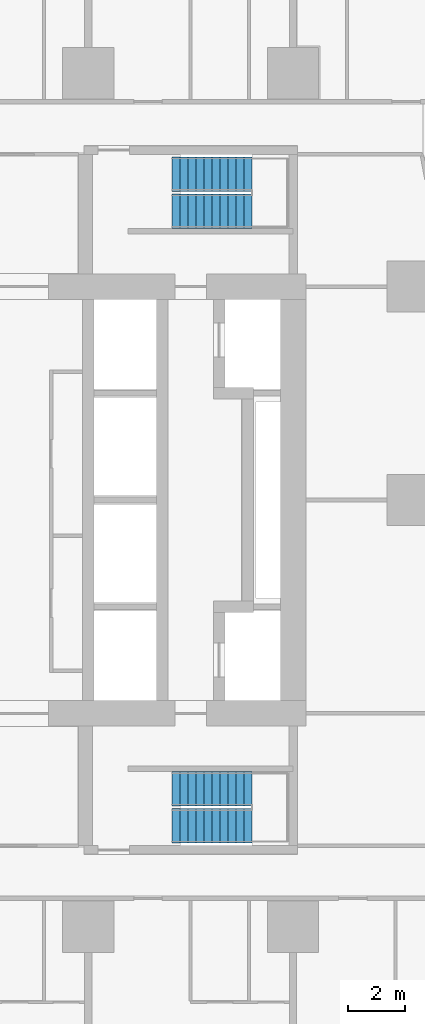
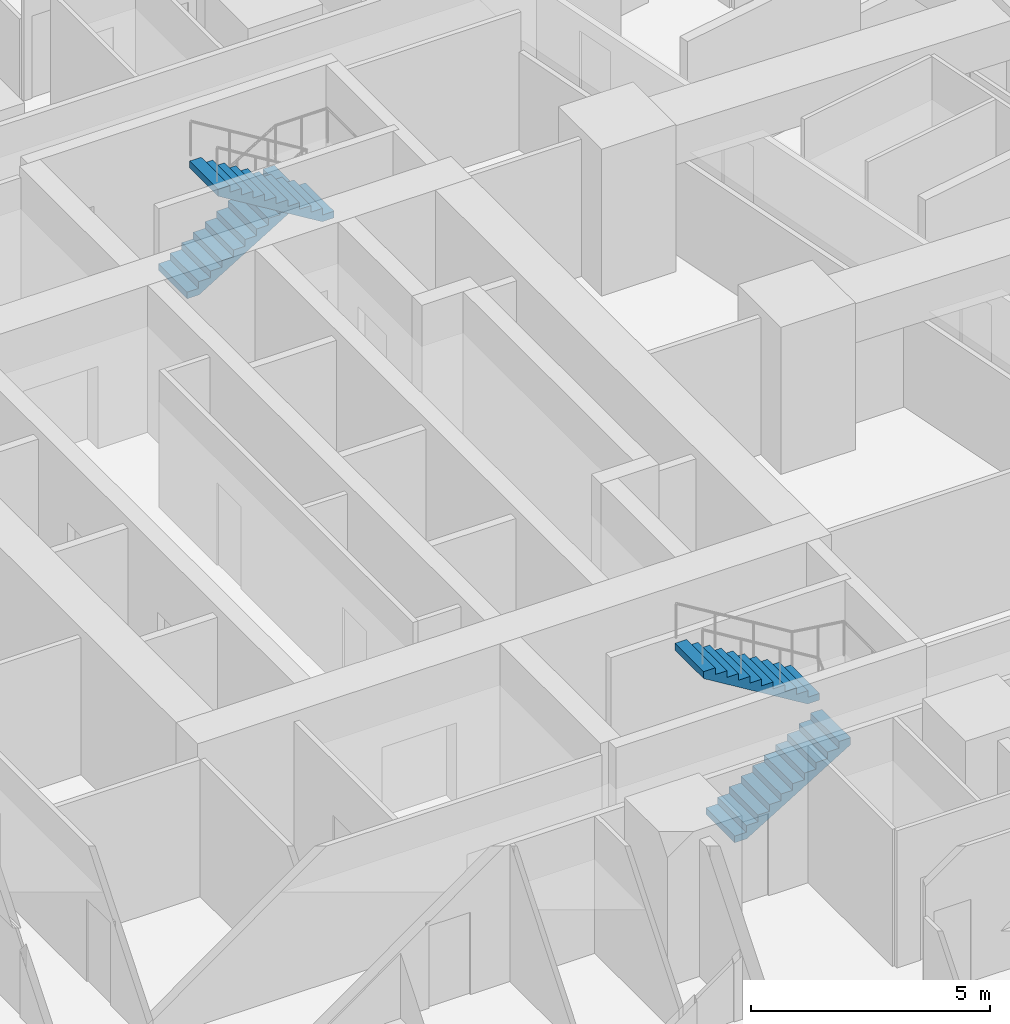
# One storey, part 12 of 15: 4 stair flights, 2 elements without a shape of their own.
"""IFC4 building model written with IfcOpenShell, lengths in metres."""

from ifc_helpers import new_model, si_unit, direction, frame, origin, place, context, subcontext, project, spatial, triangles, material, type_object, element, aggregate, save


model = new_model("IFC4")

# Units and contexts
model_context = context("Model", 3, precision=1e-05, world=origin(), true_north=direction((0.0, 1.0)))
body_context = subcontext(model_context, "Body", "Model", "MODEL_VIEW")
ifc_project = project(units=[si_unit("LENGTHUNIT", "METRE"), si_unit("AREAUNIT", "SQUARE_METRE"), si_unit("VOLUMEUNIT", "CUBIC_METRE"), si_unit("PLANEANGLEUNIT", "RADIAN"), si_unit("MASSUNIT", "GRAM", prefix="KILO")], contexts=[model_context])

# Site, building, storey
site_placement = place(None, origin())
site = spatial("IfcSite", under=ifc_project, at=site_placement, CompositionType="ELEMENT")
building_placement = place(site_placement, origin())
building = spatial("IfcBuilding", under=site, at=building_placement, Name="Sheger Commons Tower", CompositionType="ELEMENT")
storey_placement = place(building_placement, frame((0.0, 0.0, 50.0)))
storey = spatial("IfcBuildingStorey", under=building, at=storey_placement, Name="L12", CompositionType="ELEMENT", Elevation=50.0)

# Stair, stair flights
ifc_material_1 = material(Name="Concrete C35/45", Category="concrete")
stair_type = type_object("IfcStairType", Name="HALF-TURN STAIR 1200 RISE 3750", PredefinedType="HALF_TURN_STAIR", material=ifc_material_1)
stair_1_placement = place(storey_placement, origin())
stair_1 = element("IfcStair", 1, at=stair_1_placement, inside=storey, type_object=stair_type, Name="Stair S1 L12", PredefinedType="HALF_TURN_STAIR")
ifc_material_2 = material(Name="Concrete C35/45", Category="concrete")
stair_flight_type = type_object("IfcStairFlightType", Name="STAIR FLIGHT 1200 11 RISERS OF 170", PredefinedType="STRAIGHT", material=ifc_material_2)
stair_flight_1_placement = place(storey_placement, frame((24.550048828125, 11.050048828125, 0.0), z_axis=(0.0, 0.0, 1.0), x_axis=(1.0, 0.0, 0.0)))
stair_flight_1 = element("IfcStairFlight", 2, at=stair_flight_1_placement, type_object=stair_flight_type, Name="S1 flight 1", NumberOfRisers=11, NumberOfTreads=10, PredefinedType="STRAIGHT", RiserHeight=0.170454545, TreadLength=0.28, context=body_context, shape_type="Tessellation", body=[
    triangles([(0.0, 0.5999755859375, 0.0), (0.0, 0.5999755859375, 0.17041015625), (0.280029296875, 0.5999755859375, 0.17041015625), (0.280029296875, 0.5999755859375, 0.3408203125), (0.56005859375, 0.5999755859375, 0.3408203125), (0.56005859375, 0.5999755859375, 0.511474609375), (0.840087890625, 0.5999755859375, 0.511474609375), (0.840087890625, 0.5999755859375, 0.681884765625), (1.1201171875, 0.5999755859375, 0.681884765625), (1.1201171875, 0.5999755859375, 0.852294921875), (1.39990234375, 0.5999755859375, 0.852294921875), (1.39990234375, 0.5999755859375, 1.022705078125), (1.679931640625, 0.5999755859375, 1.022705078125), (1.679931640625, 0.5999755859375, 1.193115234375), (1.9599609375, 0.5999755859375, 1.193115234375), (1.9599609375, 0.5999755859375, 1.363525390625), (2.239990234375, 0.5999755859375, 1.363525390625), (2.239990234375, 0.5999755859375, 1.5341796875), (2.52001953125, 0.5999755859375, 1.5341796875), (2.52001953125, 0.5999755859375, 1.70458984375), (2.800048828125, 0.5999755859375, 1.70458984375), (2.800048828125, 0.5999755859375, 1.529052734375), (0.288330078125, 0.5999755859375, 0.0), (0.0, -0.5999755859375, 0.0), (0.0, -0.5999755859375, 0.17041015625), (0.280029296875, -0.5999755859375, 0.17041015625), (0.280029296875, -0.5999755859375, 0.3408203125), (0.56005859375, -0.5999755859375, 0.3408203125), (0.56005859375, -0.5999755859375, 0.511474609375), (0.840087890625, -0.5999755859375, 0.511474609375), (0.840087890625, -0.5999755859375, 0.681884765625), (1.1201171875, -0.5999755859375, 0.681884765625), (1.1201171875, -0.5999755859375, 0.852294921875), (1.39990234375, -0.5999755859375, 0.852294921875), (1.39990234375, -0.5999755859375, 1.022705078125), (1.679931640625, -0.5999755859375, 1.022705078125), (1.679931640625, -0.5999755859375, 1.193115234375), (1.9599609375, -0.5999755859375, 1.193115234375), (1.9599609375, -0.5999755859375, 1.363525390625), (2.239990234375, -0.5999755859375, 1.363525390625), (2.239990234375, -0.5999755859375, 1.5341796875), (2.52001953125, -0.5999755859375, 1.5341796875), (2.52001953125, -0.5999755859375, 1.70458984375), (2.800048828125, -0.5999755859375, 1.70458984375), (2.800048828125, -0.5999755859375, 1.529052734375), (0.288330078125, -0.5999755859375, 0.0), (0.0, 0.0, 0.085205078125), (0.1400146484375, 0.0, 0.17041015625), (0.280029296875, 0.0, 0.255615234375), (0.4200439453125, 0.0, 0.3408203125), (0.56005859375, 0.0, 0.4261474609375), (0.7000732421875, 0.0, 0.511474609375), (0.840087890625, 0.0, 0.5966796875), (0.9801025390625, 0.0, 0.681884765625), (1.1201171875, 0.0, 0.76708984375), (1.260009765625, 0.0, 0.852294921875), (1.39990234375, 0.0, 0.9375), (1.5399169921875, 0.0, 1.022705078125), (1.679931640625, 0.0, 1.10791015625), (1.8199462890625, 0.0, 1.193115234375), (1.9599609375, 0.0, 1.2783203125), (2.0999755859375, 0.0, 1.363525390625), (2.239990234375, 0.0, 1.4488525390625), (2.3800048828125, 0.0, 1.5341796875), (2.52001953125, 0.0, 1.619384765625), (2.6600341796875, 0.0, 1.70458984375), (2.800048828125, 0.0, 1.6168212890625), (1.544189453125, 0.0, 0.7645263671875), (0.1441650390625, 0.0, 0.0)], [[1, 22, 23], [24, 46, 45], [22, 20, 21], [45, 44, 43], [22, 19, 20], [45, 43, 42], [22, 18, 19], [45, 42, 41], [22, 17, 18], [45, 41, 40], [17, 15, 16], [40, 39, 38], [22, 15, 17], [45, 40, 38], [15, 13, 14], [38, 37, 36], [22, 13, 15], [45, 38, 36], [13, 11, 12], [36, 35, 34], [22, 11, 13], [45, 36, 34], [11, 9, 10], [34, 33, 32], [22, 9, 11], [45, 34, 32], [9, 7, 8], [32, 31, 30], [22, 7, 9], [45, 32, 30], [7, 5, 6], [30, 29, 28], [22, 5, 7], [45, 30, 28], [5, 3, 4], [28, 27, 26], [22, 3, 5], [45, 28, 26], [1, 3, 22], [24, 45, 26], [3, 1, 2], [26, 25, 24], [1, 47, 2], [2, 47, 25], [25, 47, 24], [24, 47, 1], [2, 48, 3], [3, 48, 26], [26, 48, 25], [25, 48, 2], [3, 49, 4], [4, 49, 27], [27, 49, 26], [26, 49, 3], [4, 50, 5], [5, 50, 28], [28, 50, 27], [27, 50, 4], [5, 51, 6], [6, 51, 29], [29, 51, 28], [28, 51, 5], [6, 52, 7], [7, 52, 30], [30, 52, 29], [29, 52, 6], [7, 53, 8], [8, 53, 31], [31, 53, 30], [30, 53, 7], [8, 54, 9], [9, 54, 32], [32, 54, 31], [31, 54, 8], [9, 55, 10], [10, 55, 33], [33, 55, 32], [32, 55, 9], [10, 56, 11], [11, 56, 34], [34, 56, 33], [33, 56, 10], [11, 57, 12], [12, 57, 35], [35, 57, 34], [34, 57, 11], [12, 58, 13], [13, 58, 36], [36, 58, 35], [35, 58, 12], [13, 59, 14], [14, 59, 37], [37, 59, 36], [36, 59, 13], [14, 60, 15], [15, 60, 38], [38, 60, 37], [37, 60, 14], [15, 61, 16], [16, 61, 39], [39, 61, 38], [38, 61, 15], [16, 62, 17], [17, 62, 40], [40, 62, 39], [39, 62, 16], [17, 63, 18], [18, 63, 41], [41, 63, 40], [40, 63, 17], [18, 64, 19], [19, 64, 42], [42, 64, 41], [41, 64, 18], [19, 65, 20], [20, 65, 43], [43, 65, 42], [42, 65, 19], [20, 66, 21], [21, 66, 44], [44, 66, 43], [43, 66, 20], [21, 67, 22], [22, 67, 45], [45, 67, 44], [44, 67, 21], [22, 68, 23], [23, 68, 46], [46, 68, 45], [45, 68, 22], [23, 69, 1], [1, 69, 24], [24, 69, 46], [46, 69, 23]], closed=True),
])
stair_flight_2_placement = place(storey_placement, frame((27.35009765625, 12.35009765625, 1.875), z_axis=(0.0, 0.0, 1.0), x_axis=(-1.0, 0.0, 0.0)))
stair_flight_2 = element("IfcStairFlight", 3, at=stair_flight_2_placement, type_object=stair_flight_type, Name="S1 flight 2", NumberOfRisers=11, NumberOfTreads=10, PredefinedType="STRAIGHT", RiserHeight=0.170454545, TreadLength=0.28, context=body_context, shape_type="Tessellation", body=[
    triangles([(0.0, 0.5999755859375, 0.0), (0.0, 0.5999755859375, 0.17041015625), (0.280029296875, 0.5999755859375, 0.17041015625), (0.280029296875, 0.5999755859375, 0.3408203125), (0.56005859375, 0.5999755859375, 0.3408203125), (0.56005859375, 0.5999755859375, 0.511474609375), (0.840087890625, 0.5999755859375, 0.511474609375), (0.840087890625, 0.5999755859375, 0.681884765625), (1.1201171875, 0.5999755859375, 0.681884765625), (1.1201171875, 0.5999755859375, 0.852294921875), (1.39990234375, 0.5999755859375, 0.852294921875), (1.39990234375, 0.5999755859375, 1.022705078125), (1.679931640625, 0.5999755859375, 1.022705078125), (1.679931640625, 0.5999755859375, 1.193115234375), (1.9599609375, 0.5999755859375, 1.193115234375), (1.9599609375, 0.5999755859375, 1.363525390625), (2.239990234375, 0.5999755859375, 1.363525390625), (2.239990234375, 0.5999755859375, 1.5341796875), (2.52001953125, 0.5999755859375, 1.5341796875), (2.52001953125, 0.5999755859375, 1.70458984375), (2.800048828125, 0.5999755859375, 1.70458984375), (2.800048828125, 0.5999755859375, 1.529052734375), (0.288330078125, 0.5999755859375, 0.0), (0.0, -0.5999755859375, 0.0), (0.0, -0.5999755859375, 0.17041015625), (0.280029296875, -0.5999755859375, 0.17041015625), (0.280029296875, -0.5999755859375, 0.3408203125), (0.56005859375, -0.5999755859375, 0.3408203125), (0.56005859375, -0.5999755859375, 0.511474609375), (0.840087890625, -0.5999755859375, 0.511474609375), (0.840087890625, -0.5999755859375, 0.681884765625), (1.1201171875, -0.5999755859375, 0.681884765625), (1.1201171875, -0.5999755859375, 0.852294921875), (1.39990234375, -0.5999755859375, 0.852294921875), (1.39990234375, -0.5999755859375, 1.022705078125), (1.679931640625, -0.5999755859375, 1.022705078125), (1.679931640625, -0.5999755859375, 1.193115234375), (1.9599609375, -0.5999755859375, 1.193115234375), (1.9599609375, -0.5999755859375, 1.363525390625), (2.239990234375, -0.5999755859375, 1.363525390625), (2.239990234375, -0.5999755859375, 1.5341796875), (2.52001953125, -0.5999755859375, 1.5341796875), (2.52001953125, -0.5999755859375, 1.70458984375), (2.800048828125, -0.5999755859375, 1.70458984375), (2.800048828125, -0.5999755859375, 1.529052734375), (0.288330078125, -0.5999755859375, 0.0), (0.0, 0.0, 0.085205078125), (0.1400146484375, 0.0, 0.17041015625), (0.280029296875, 0.0, 0.255615234375), (0.4200439453125, 0.0, 0.3408203125), (0.56005859375, 0.0, 0.4261474609375), (0.7000732421875, 0.0, 0.511474609375), (0.840087890625, 0.0, 0.5966796875), (0.9801025390625, 0.0, 0.681884765625), (1.1201171875, 0.0, 0.76708984375), (1.260009765625, 0.0, 0.852294921875), (1.39990234375, 0.0, 0.9375), (1.5399169921875, 0.0, 1.022705078125), (1.679931640625, 0.0, 1.10791015625), (1.8199462890625, 0.0, 1.193115234375), (1.9599609375, 0.0, 1.2783203125), (2.0999755859375, 0.0, 1.363525390625), (2.239990234375, 0.0, 1.4488525390625), (2.3800048828125, 0.0, 1.5341796875), (2.52001953125, 0.0, 1.619384765625), (2.6600341796875, 0.0, 1.70458984375), (2.800048828125, 0.0, 1.6168212890625), (1.544189453125, 0.0, 0.7645263671875), (0.1441650390625, 0.0, 0.0)], [[1, 22, 23], [24, 46, 45], [22, 20, 21], [45, 44, 43], [22, 19, 20], [45, 43, 42], [22, 18, 19], [45, 42, 41], [22, 17, 18], [45, 41, 40], [17, 15, 16], [40, 39, 38], [22, 15, 17], [45, 40, 38], [15, 13, 14], [38, 37, 36], [22, 13, 15], [45, 38, 36], [13, 11, 12], [36, 35, 34], [22, 11, 13], [45, 36, 34], [11, 9, 10], [34, 33, 32], [22, 9, 11], [45, 34, 32], [9, 7, 8], [32, 31, 30], [22, 7, 9], [45, 32, 30], [7, 5, 6], [30, 29, 28], [22, 5, 7], [45, 30, 28], [5, 3, 4], [28, 27, 26], [22, 3, 5], [45, 28, 26], [1, 3, 22], [24, 45, 26], [3, 1, 2], [26, 25, 24], [1, 47, 2], [2, 47, 25], [25, 47, 24], [24, 47, 1], [2, 48, 3], [3, 48, 26], [26, 48, 25], [25, 48, 2], [3, 49, 4], [4, 49, 27], [27, 49, 26], [26, 49, 3], [4, 50, 5], [5, 50, 28], [28, 50, 27], [27, 50, 4], [5, 51, 6], [6, 51, 29], [29, 51, 28], [28, 51, 5], [6, 52, 7], [7, 52, 30], [30, 52, 29], [29, 52, 6], [7, 53, 8], [8, 53, 31], [31, 53, 30], [30, 53, 7], [8, 54, 9], [9, 54, 32], [32, 54, 31], [31, 54, 8], [9, 55, 10], [10, 55, 33], [33, 55, 32], [32, 55, 9], [10, 56, 11], [11, 56, 34], [34, 56, 33], [33, 56, 10], [11, 57, 12], [12, 57, 35], [35, 57, 34], [34, 57, 11], [12, 58, 13], [13, 58, 36], [36, 58, 35], [35, 58, 12], [13, 59, 14], [14, 59, 37], [37, 59, 36], [36, 59, 13], [14, 60, 15], [15, 60, 38], [38, 60, 37], [37, 60, 14], [15, 61, 16], [16, 61, 39], [39, 61, 38], [38, 61, 15], [16, 62, 17], [17, 62, 40], [40, 62, 39], [39, 62, 16], [17, 63, 18], [18, 63, 41], [41, 63, 40], [40, 63, 17], [18, 64, 19], [19, 64, 42], [42, 64, 41], [41, 64, 18], [19, 65, 20], [20, 65, 43], [43, 65, 42], [42, 65, 19], [20, 66, 21], [21, 66, 44], [44, 66, 43], [43, 66, 20], [21, 67, 22], [22, 67, 45], [45, 67, 44], [44, 67, 21], [22, 68, 23], [23, 68, 46], [46, 68, 45], [45, 68, 22], [23, 69, 1], [1, 69, 24], [24, 69, 46], [46, 69, 23]], closed=True),
])
aggregate(stair_1, [stair_flight_1, stair_flight_2])

stair_2_placement = place(storey_placement, origin())
stair_2 = element("IfcStair", 4, at=stair_2_placement, inside=storey, type_object=stair_type, Name="Stair S2 L12", PredefinedType="HALF_TURN_STAIR")
stair_flight_3_placement = place(storey_placement, frame((24.550048828125, 33.949951171875, 0.0), z_axis=(0.0, 0.0, 1.0), x_axis=(1.0, 0.0, 0.0)))
stair_flight_3 = element("IfcStairFlight", 5, at=stair_flight_3_placement, type_object=stair_flight_type, Name="S2 flight 1", NumberOfRisers=11, NumberOfTreads=10, PredefinedType="STRAIGHT", RiserHeight=0.170454545, TreadLength=0.28, context=body_context, shape_type="Tessellation", body=[
    triangles([(0.0, 0.5999755859375, 0.0), (0.0, 0.5999755859375, 0.17041015625), (0.280029296875, 0.5999755859375, 0.17041015625), (0.280029296875, 0.5999755859375, 0.3408203125), (0.56005859375, 0.5999755859375, 0.3408203125), (0.56005859375, 0.5999755859375, 0.511474609375), (0.840087890625, 0.5999755859375, 0.511474609375), (0.840087890625, 0.5999755859375, 0.681884765625), (1.1201171875, 0.5999755859375, 0.681884765625), (1.1201171875, 0.5999755859375, 0.852294921875), (1.39990234375, 0.5999755859375, 0.852294921875), (1.39990234375, 0.5999755859375, 1.022705078125), (1.679931640625, 0.5999755859375, 1.022705078125), (1.679931640625, 0.5999755859375, 1.193115234375), (1.9599609375, 0.5999755859375, 1.193115234375), (1.9599609375, 0.5999755859375, 1.363525390625), (2.239990234375, 0.5999755859375, 1.363525390625), (2.239990234375, 0.5999755859375, 1.5341796875), (2.52001953125, 0.5999755859375, 1.5341796875), (2.52001953125, 0.5999755859375, 1.70458984375), (2.800048828125, 0.5999755859375, 1.70458984375), (2.800048828125, 0.5999755859375, 1.529052734375), (0.288330078125, 0.5999755859375, 0.0), (0.0, -0.5999755859375, 0.0), (0.0, -0.5999755859375, 0.17041015625), (0.280029296875, -0.5999755859375, 0.17041015625), (0.280029296875, -0.5999755859375, 0.3408203125), (0.56005859375, -0.5999755859375, 0.3408203125), (0.56005859375, -0.5999755859375, 0.511474609375), (0.840087890625, -0.5999755859375, 0.511474609375), (0.840087890625, -0.5999755859375, 0.681884765625), (1.1201171875, -0.5999755859375, 0.681884765625), (1.1201171875, -0.5999755859375, 0.852294921875), (1.39990234375, -0.5999755859375, 0.852294921875), (1.39990234375, -0.5999755859375, 1.022705078125), (1.679931640625, -0.5999755859375, 1.022705078125), (1.679931640625, -0.5999755859375, 1.193115234375), (1.9599609375, -0.5999755859375, 1.193115234375), (1.9599609375, -0.5999755859375, 1.363525390625), (2.239990234375, -0.5999755859375, 1.363525390625), (2.239990234375, -0.5999755859375, 1.5341796875), (2.52001953125, -0.5999755859375, 1.5341796875), (2.52001953125, -0.5999755859375, 1.70458984375), (2.800048828125, -0.5999755859375, 1.70458984375), (2.800048828125, -0.5999755859375, 1.529052734375), (0.288330078125, -0.5999755859375, 0.0), (0.0, 0.0, 0.085205078125), (0.1400146484375, 0.0, 0.17041015625), (0.280029296875, 0.0, 0.255615234375), (0.4200439453125, 0.0, 0.3408203125), (0.56005859375, 0.0, 0.4261474609375), (0.7000732421875, 0.0, 0.511474609375), (0.840087890625, 0.0, 0.5966796875), (0.9801025390625, 0.0, 0.681884765625), (1.1201171875, 0.0, 0.76708984375), (1.260009765625, 0.0, 0.852294921875), (1.39990234375, 0.0, 0.9375), (1.5399169921875, 0.0, 1.022705078125), (1.679931640625, 0.0, 1.10791015625), (1.8199462890625, 0.0, 1.193115234375), (1.9599609375, 0.0, 1.2783203125), (2.0999755859375, 0.0, 1.363525390625), (2.239990234375, 0.0, 1.4488525390625), (2.3800048828125, 0.0, 1.5341796875), (2.52001953125, 0.0, 1.619384765625), (2.6600341796875, 0.0, 1.70458984375), (2.800048828125, 0.0, 1.6168212890625), (1.544189453125, 0.0, 0.7645263671875), (0.1441650390625, 0.0, 0.0)], [[1, 22, 23], [24, 46, 45], [22, 20, 21], [45, 44, 43], [22, 19, 20], [45, 43, 42], [22, 18, 19], [45, 42, 41], [22, 17, 18], [45, 41, 40], [17, 15, 16], [40, 39, 38], [22, 15, 17], [45, 40, 38], [15, 13, 14], [38, 37, 36], [22, 13, 15], [45, 38, 36], [13, 11, 12], [36, 35, 34], [22, 11, 13], [45, 36, 34], [11, 9, 10], [34, 33, 32], [22, 9, 11], [45, 34, 32], [9, 7, 8], [32, 31, 30], [22, 7, 9], [45, 32, 30], [7, 5, 6], [30, 29, 28], [22, 5, 7], [45, 30, 28], [5, 3, 4], [28, 27, 26], [22, 3, 5], [45, 28, 26], [1, 3, 22], [24, 45, 26], [3, 1, 2], [26, 25, 24], [1, 47, 2], [2, 47, 25], [25, 47, 24], [24, 47, 1], [2, 48, 3], [3, 48, 26], [26, 48, 25], [25, 48, 2], [3, 49, 4], [4, 49, 27], [27, 49, 26], [26, 49, 3], [4, 50, 5], [5, 50, 28], [28, 50, 27], [27, 50, 4], [5, 51, 6], [6, 51, 29], [29, 51, 28], [28, 51, 5], [6, 52, 7], [7, 52, 30], [30, 52, 29], [29, 52, 6], [7, 53, 8], [8, 53, 31], [31, 53, 30], [30, 53, 7], [8, 54, 9], [9, 54, 32], [32, 54, 31], [31, 54, 8], [9, 55, 10], [10, 55, 33], [33, 55, 32], [32, 55, 9], [10, 56, 11], [11, 56, 34], [34, 56, 33], [33, 56, 10], [11, 57, 12], [12, 57, 35], [35, 57, 34], [34, 57, 11], [12, 58, 13], [13, 58, 36], [36, 58, 35], [35, 58, 12], [13, 59, 14], [14, 59, 37], [37, 59, 36], [36, 59, 13], [14, 60, 15], [15, 60, 38], [38, 60, 37], [37, 60, 14], [15, 61, 16], [16, 61, 39], [39, 61, 38], [38, 61, 15], [16, 62, 17], [17, 62, 40], [40, 62, 39], [39, 62, 16], [17, 63, 18], [18, 63, 41], [41, 63, 40], [40, 63, 17], [18, 64, 19], [19, 64, 42], [42, 64, 41], [41, 64, 18], [19, 65, 20], [20, 65, 43], [43, 65, 42], [42, 65, 19], [20, 66, 21], [21, 66, 44], [44, 66, 43], [43, 66, 20], [21, 67, 22], [22, 67, 45], [45, 67, 44], [44, 67, 21], [22, 68, 23], [23, 68, 46], [46, 68, 45], [45, 68, 22], [23, 69, 1], [1, 69, 24], [24, 69, 46], [46, 69, 23]], closed=True),
])
stair_flight_4_placement = place(storey_placement, frame((27.35009765625, 32.64990234375, 1.875), z_axis=(0.0, 0.0, 1.0), x_axis=(-1.0, 0.0, 0.0)))
stair_flight_4 = element("IfcStairFlight", 6, at=stair_flight_4_placement, type_object=stair_flight_type, Name="S2 flight 2", NumberOfRisers=11, NumberOfTreads=10, PredefinedType="STRAIGHT", RiserHeight=0.170454545, TreadLength=0.28, context=body_context, shape_type="Tessellation", body=[
    triangles([(0.0, 0.5999755859375, 0.0), (0.0, 0.5999755859375, 0.17041015625), (0.280029296875, 0.5999755859375, 0.17041015625), (0.280029296875, 0.5999755859375, 0.3408203125), (0.56005859375, 0.5999755859375, 0.3408203125), (0.56005859375, 0.5999755859375, 0.511474609375), (0.840087890625, 0.5999755859375, 0.511474609375), (0.840087890625, 0.5999755859375, 0.681884765625), (1.1201171875, 0.5999755859375, 0.681884765625), (1.1201171875, 0.5999755859375, 0.852294921875), (1.39990234375, 0.5999755859375, 0.852294921875), (1.39990234375, 0.5999755859375, 1.022705078125), (1.679931640625, 0.5999755859375, 1.022705078125), (1.679931640625, 0.5999755859375, 1.193115234375), (1.9599609375, 0.5999755859375, 1.193115234375), (1.9599609375, 0.5999755859375, 1.363525390625), (2.239990234375, 0.5999755859375, 1.363525390625), (2.239990234375, 0.5999755859375, 1.5341796875), (2.52001953125, 0.5999755859375, 1.5341796875), (2.52001953125, 0.5999755859375, 1.70458984375), (2.800048828125, 0.5999755859375, 1.70458984375), (2.800048828125, 0.5999755859375, 1.529052734375), (0.288330078125, 0.5999755859375, 0.0), (0.0, -0.5999755859375, 0.0), (0.0, -0.5999755859375, 0.17041015625), (0.280029296875, -0.5999755859375, 0.17041015625), (0.280029296875, -0.5999755859375, 0.3408203125), (0.56005859375, -0.5999755859375, 0.3408203125), (0.56005859375, -0.5999755859375, 0.511474609375), (0.840087890625, -0.5999755859375, 0.511474609375), (0.840087890625, -0.5999755859375, 0.681884765625), (1.1201171875, -0.5999755859375, 0.681884765625), (1.1201171875, -0.5999755859375, 0.852294921875), (1.39990234375, -0.5999755859375, 0.852294921875), (1.39990234375, -0.5999755859375, 1.022705078125), (1.679931640625, -0.5999755859375, 1.022705078125), (1.679931640625, -0.5999755859375, 1.193115234375), (1.9599609375, -0.5999755859375, 1.193115234375), (1.9599609375, -0.5999755859375, 1.363525390625), (2.239990234375, -0.5999755859375, 1.363525390625), (2.239990234375, -0.5999755859375, 1.5341796875), (2.52001953125, -0.5999755859375, 1.5341796875), (2.52001953125, -0.5999755859375, 1.70458984375), (2.800048828125, -0.5999755859375, 1.70458984375), (2.800048828125, -0.5999755859375, 1.529052734375), (0.288330078125, -0.5999755859375, 0.0), (0.0, 0.0, 0.085205078125), (0.1400146484375, 0.0, 0.17041015625), (0.280029296875, 0.0, 0.255615234375), (0.4200439453125, 0.0, 0.3408203125), (0.56005859375, 0.0, 0.4261474609375), (0.7000732421875, 0.0, 0.511474609375), (0.840087890625, 0.0, 0.5966796875), (0.9801025390625, 0.0, 0.681884765625), (1.1201171875, 0.0, 0.76708984375), (1.260009765625, 0.0, 0.852294921875), (1.39990234375, 0.0, 0.9375), (1.5399169921875, 0.0, 1.022705078125), (1.679931640625, 0.0, 1.10791015625), (1.8199462890625, 0.0, 1.193115234375), (1.9599609375, 0.0, 1.2783203125), (2.0999755859375, 0.0, 1.363525390625), (2.239990234375, 0.0, 1.4488525390625), (2.3800048828125, 0.0, 1.5341796875), (2.52001953125, 0.0, 1.619384765625), (2.6600341796875, 0.0, 1.70458984375), (2.800048828125, 0.0, 1.6168212890625), (1.544189453125, 0.0, 0.7645263671875), (0.1441650390625, 0.0, 0.0)], [[1, 22, 23], [24, 46, 45], [22, 20, 21], [45, 44, 43], [22, 19, 20], [45, 43, 42], [22, 18, 19], [45, 42, 41], [22, 17, 18], [45, 41, 40], [17, 15, 16], [40, 39, 38], [22, 15, 17], [45, 40, 38], [15, 13, 14], [38, 37, 36], [22, 13, 15], [45, 38, 36], [13, 11, 12], [36, 35, 34], [22, 11, 13], [45, 36, 34], [11, 9, 10], [34, 33, 32], [22, 9, 11], [45, 34, 32], [9, 7, 8], [32, 31, 30], [22, 7, 9], [45, 32, 30], [7, 5, 6], [30, 29, 28], [22, 5, 7], [45, 30, 28], [5, 3, 4], [28, 27, 26], [22, 3, 5], [45, 28, 26], [1, 3, 22], [24, 45, 26], [3, 1, 2], [26, 25, 24], [1, 47, 2], [2, 47, 25], [25, 47, 24], [24, 47, 1], [2, 48, 3], [3, 48, 26], [26, 48, 25], [25, 48, 2], [3, 49, 4], [4, 49, 27], [27, 49, 26], [26, 49, 3], [4, 50, 5], [5, 50, 28], [28, 50, 27], [27, 50, 4], [5, 51, 6], [6, 51, 29], [29, 51, 28], [28, 51, 5], [6, 52, 7], [7, 52, 30], [30, 52, 29], [29, 52, 6], [7, 53, 8], [8, 53, 31], [31, 53, 30], [30, 53, 7], [8, 54, 9], [9, 54, 32], [32, 54, 31], [31, 54, 8], [9, 55, 10], [10, 55, 33], [33, 55, 32], [32, 55, 9], [10, 56, 11], [11, 56, 34], [34, 56, 33], [33, 56, 10], [11, 57, 12], [12, 57, 35], [35, 57, 34], [34, 57, 11], [12, 58, 13], [13, 58, 36], [36, 58, 35], [35, 58, 12], [13, 59, 14], [14, 59, 37], [37, 59, 36], [36, 59, 13], [14, 60, 15], [15, 60, 38], [38, 60, 37], [37, 60, 14], [15, 61, 16], [16, 61, 39], [39, 61, 38], [38, 61, 15], [16, 62, 17], [17, 62, 40], [40, 62, 39], [39, 62, 16], [17, 63, 18], [18, 63, 41], [41, 63, 40], [40, 63, 17], [18, 64, 19], [19, 64, 42], [42, 64, 41], [41, 64, 18], [19, 65, 20], [20, 65, 43], [43, 65, 42], [42, 65, 19], [20, 66, 21], [21, 66, 44], [44, 66, 43], [43, 66, 20], [21, 67, 22], [22, 67, 45], [45, 67, 44], [44, 67, 21], [22, 68, 23], [23, 68, 46], [46, 68, 45], [45, 68, 22], [23, 69, 1], [1, 69, 24], [24, 69, 46], [46, 69, 23]], closed=True),
])
aggregate(stair_2, [stair_flight_3, stair_flight_4])

save(model, "model.ifc")
